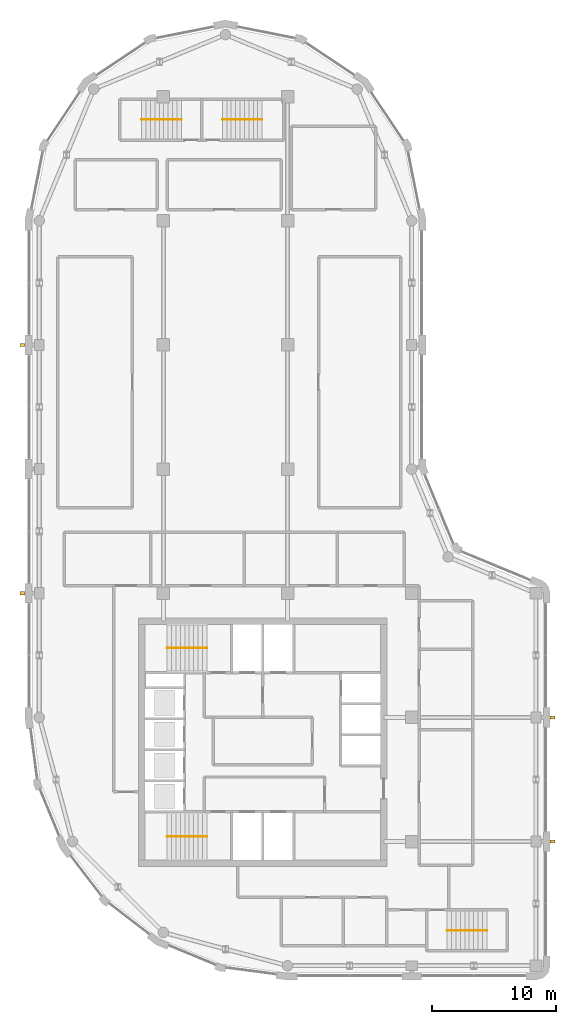
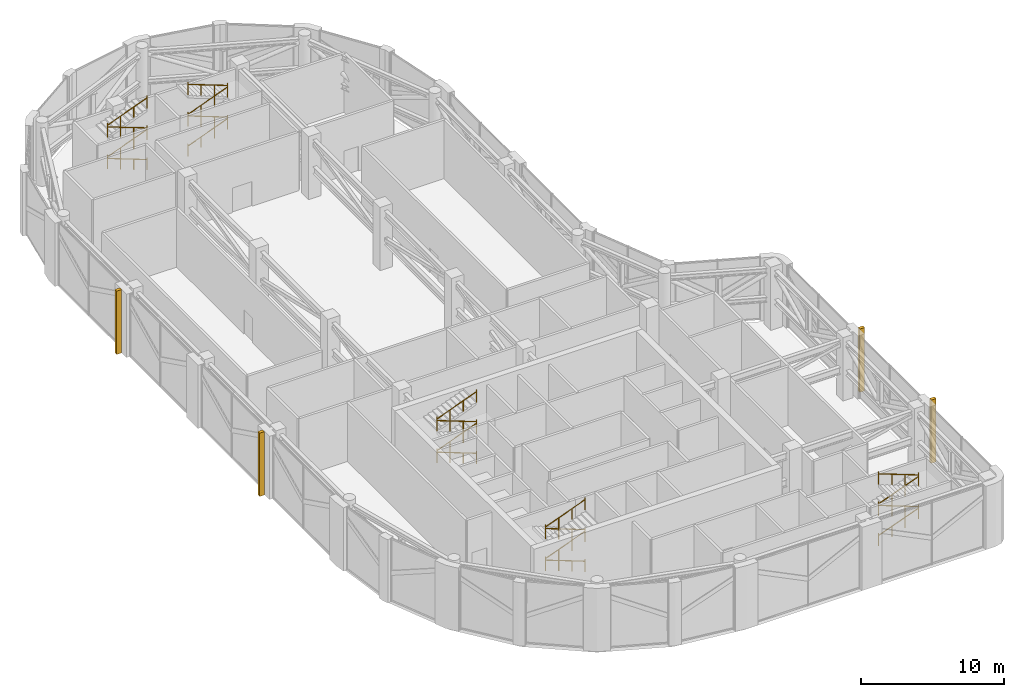
# One storey, part 17 of 18: 20 railings, 4 shading devices.
"""IFC4 building model written with IfcOpenShell, lengths in metres."""

import ifcopenshell
import ifcopenshell.guid

model = None  # the IFC model being written
_history = None  # IfcOwnerHistory: only IFC2X3 demands one
_inside = {}  # id of a spatial element -> (the spatial element, [elements in it])
_under = {}  # id of a project, library or spatial element -> (it, [spatial elements below it])
_declared = {}  # id of a project -> (the project, [libraries it declares])
_typed = {}  # id of a type object -> (the type object, [elements of that type])
_made_of = {}  # id of a material, layer set ... -> (it, [elements and type objects made of it])


def new_model(schema):
    """Start an empty IFC model of exactly this schema.

    Asked for "IFC4X3", IfcOpenShell would pick the latest addendum, in which some entities
    have other attributes; the version numbers below select the first issue.
    IFC2X3 requires an IfcOwnerHistory on every rooted entity: one is made here for all.
    """
    global model, _history
    if schema == "IFC4X3":
        model = ifcopenshell.file(schema_version=(4, 3, 0, 0))
    else:
        model = ifcopenshell.file(schema=schema)
    _inside.clear()
    _under.clear()
    _declared.clear()
    _typed.clear()
    _made_of.clear()
    _history = None
    if model.schema == "IFC2X3":
        org = make("IfcOrganization", Name="unknown")
        user = make(
            "IfcPersonAndOrganization",
            ThePerson=make("IfcPerson", FamilyName="unknown"),
            TheOrganization=org,
        )
        app = make(
            "IfcApplication",
            ApplicationDeveloper=org,
            Version="unknown",
            ApplicationFullName="unknown",
            ApplicationIdentifier="unknown",
        )
        _history = make(
            "IfcOwnerHistory",
            OwningUser=user,
            OwningApplication=app,
            ChangeAction="ADDED",
            CreationDate=0,
        )
    return model


def make(cls, **values):
    """One entity of the class cls with the attributes given. An attribute that is None is left unset."""
    return model.create_entity(
        cls, **{name: value for name, value in values.items() if value is not None}
    )


def rooted(cls, **values):
    """An entity with a GlobalId (a new one), such as an element, a storey or a relation."""
    return make(cls, GlobalId=ifcopenshell.guid.new(), OwnerHistory=_history, **values)


def si_unit(unit_type, name, prefix=None):
    """IfcSIUnit, for example si_unit("LENGTHUNIT", "METRE", prefix="MILLI")."""
    return make("IfcSIUnit", UnitType=unit_type, Prefix=prefix, Name=name)


def assignment(units):
    """IfcUnitAssignment: the units of a project."""
    return None if units is None else make("IfcUnitAssignment", Units=units)


def point(xyz):
    """IfcCartesianPoint."""
    return None if xyz is None else make("IfcCartesianPoint", Coordinates=xyz)


def direction(xyz):
    """IfcDirection."""
    return None if xyz is None else make("IfcDirection", DirectionRatios=xyz)


def frame(location, z_axis=None, x_axis=None):
    """IfcAxis2Placement3D, a coordinate frame: its origin and axes. An axis left out is left unset."""
    return make(
        "IfcAxis2Placement3D",
        Location=point(location),
        Axis=direction(z_axis),
        RefDirection=direction(x_axis),
    )


def frame_2d(location, x_axis=None):
    """IfcAxis2Placement2D, a coordinate frame in the plane: its origin and x axis."""
    return make(
        "IfcAxis2Placement2D", Location=point(location), RefDirection=direction(x_axis)
    )


def origin():
    """The frame at (0, 0, 0) with its axes left unset."""
    return frame((0.0, 0.0, 0.0))


def origin_2d():
    """The frame at (0, 0) in the plane with its x axis left unset."""
    return frame_2d((0.0, 0.0))


def place(relative_to, where):
    """IfcLocalPlacement: puts the frame where relative to a parent placement (None: the world)."""
    return make(
        "IfcLocalPlacement", PlacementRelTo=relative_to, RelativePlacement=where
    )


def context(
    kind, dimensions, precision=None, world=None, true_north=None, identifier=None
):
    """IfcGeometricRepresentationContext, for example the 3D "Model" context."""
    return make(
        "IfcGeometricRepresentationContext",
        ContextIdentifier=identifier,
        ContextType=kind,
        CoordinateSpaceDimension=dimensions,
        Precision=precision,
        WorldCoordinateSystem=world,
        TrueNorth=true_north,
    )


def subcontext(parent, identifier, kind, view, scale=None):
    """IfcGeometricRepresentationSubContext, for example "Body" below "Model"."""
    return make(
        "IfcGeometricRepresentationSubContext",
        ContextIdentifier=identifier,
        ContextType=kind,
        ParentContext=parent,
        TargetScale=scale,
        TargetView=view,
    )


def project(units=None, contexts=None):
    """IfcProject with its units and contexts."""
    return rooted(
        "IfcProject",
        Name="project",
        RepresentationContexts=contexts,
        UnitsInContext=assignment(units),
    )


def spatial(cls, under=None, at=None, **own):
    """A site, building, storey or space (cls), placed at a placement, below another one or the project."""
    s = rooted(cls, ObjectPlacement=at, **own)
    if under is not None:
        _under.setdefault(under.id(), (under, []))[1].append(s)
    return s


def profile(cls, at=None, kind="AREA", **sizes):
    """A parametric profile (cls). Its sizes go by their IFC names, for example OverallWidth=200.0."""
    return make(cls, ProfileType=kind, Position=at, **sizes)


def rectangle(**sizes):
    """IfcRectangleProfileDef."""
    return profile("IfcRectangleProfileDef", **sizes)


def circle(**sizes):
    """IfcCircleProfileDef."""
    return profile("IfcCircleProfileDef", **sizes)


def extrude(swept, where, along, depth):
    """IfcExtrudedAreaSolid: the profile swept, set in the frame where, extruded along a direction by depth."""
    return make(
        "IfcExtrudedAreaSolid",
        SweptArea=swept,
        Position=where,
        ExtrudedDirection=direction(along),
        Depth=depth,
    )


def shape(context_of_items, identifier, shape_type, items):
    """IfcShapeRepresentation: the items that make up one representation, for example the "Body"."""
    return make(
        "IfcShapeRepresentation",
        ContextOfItems=context_of_items,
        RepresentationIdentifier=identifier,
        RepresentationType=shape_type,
        Items=items,
    )


def material(Name=None, Category=None):
    """IfcMaterial."""
    return make("IfcMaterial", Name=Name, Category=Category)


def layer(
    of_material, thickness, ventilated=None, Name=None, Category=None, Priority=None
):
    """IfcMaterialLayer: one layer of a wall or slab, of a material (None: an air gap)."""
    return make(
        "IfcMaterialLayer",
        Material=of_material,
        LayerThickness=thickness,
        IsVentilated=ventilated,
        Name=Name,
        Category=Category,
        Priority=Priority,
    )


def layer_set(layers, Name=None):
    """IfcMaterialLayerSet."""
    return make("IfcMaterialLayerSet", MaterialLayers=layers, LayerSetName=Name)


def made_of(thing, what):
    """Note that an element or type object is made of a material, layer set ...; save() writes the relation."""
    if what is not None:
        _made_of.setdefault(what.id(), (what, []))[1].append(thing)
    return thing


def type_object(cls, material=None, **own):
    """A type object (cls), such as IfcWallType, which elements share."""
    return made_of(rooted(cls, **own), material)


def element(
    cls,
    number,
    at=None,
    inside=None,
    cuts=None,
    type_object=None,
    material=None,
    context=None,
    identifier="Body",
    shape_type=None,
    held_by="IfcProductDefinitionShape",
    body=None,
    shapes=None,
    **own,
):
    """One element of the class cls, such as IfcWall. Its Tag is "e" and its number.

    at: its placement. inside: the storey or other place that contains it. cuts: it is an
    opening in that element (IfcRelVoidsElement). A single representation is given by context,
    identifier, shape_type and body (its items); several are given by shapes. held_by: the class
    of the entity that holds the representations. save() writes the other relations.
    """
    e = rooted(cls, Tag="e%d" % number, ObjectPlacement=at, **own)
    if body is not None:
        shapes = [shape(context, identifier, shape_type, body)]
    if shapes is not None:
        e.Representation = make(held_by, Representations=shapes)
    if inside is not None:
        _inside.setdefault(inside.id(), (inside, []))[1].append(e)
    if cuts is not None:
        rooted(
            "IfcRelVoidsElement", RelatingBuildingElement=cuts, RelatedOpeningElement=e
        )
    if type_object is not None:
        _typed.setdefault(type_object.id(), (type_object, []))[1].append(e)
    return made_of(e, material)


def aggregate(whole, parts):
    """IfcRelAggregates: a whole, such as a stair, and the parts it consists of."""
    return rooted("IfcRelAggregates", RelatingObject=whole, RelatedObjects=parts)


def save(model, path):
    """Write the relations noted so far, then the file.

    IfcRelAggregates (storeys below a building ...), IfcRelContainedInSpatialStructure (elements
    in a storey), IfcRelDefinesByType, IfcRelAssociatesMaterial and IfcRelDeclares: one each for
    every whole, place, type object, material and project.
    """
    for whole, parts in _under.values():
        aggregate(whole, parts)
    for where, things in _inside.values():
        rooted(
            "IfcRelContainedInSpatialStructure",
            RelatedElements=things,
            RelatingStructure=where,
        )
    for kind, things in _typed.values():
        rooted("IfcRelDefinesByType", RelatedObjects=things, RelatingType=kind)
    for what, things in _made_of.values():
        rooted("IfcRelAssociatesMaterial", RelatedObjects=things, RelatingMaterial=what)
    for by, libraries in _declared.values():
        rooted("IfcRelDeclares", RelatingContext=by, RelatedDefinitions=libraries)
    model.write(path)


model = new_model("IFC4")

# Units and contexts
model_context = context("Model", 3, precision=1e-05, world=origin(), true_north=direction((0.0, 1.0)))
body_context = subcontext(model_context, "Body", "Model", "MODEL_VIEW")
ifc_project = project(units=[si_unit("LENGTHUNIT", "METRE"), si_unit("AREAUNIT", "SQUARE_METRE"), si_unit("VOLUMEUNIT", "CUBIC_METRE"), si_unit("PLANEANGLEUNIT", "RADIAN"), si_unit("MASSUNIT", "GRAM", prefix="KILO")], contexts=[model_context])

# Site, building, storey
site_placement = place(None, origin())
site = spatial("IfcSite", under=ifc_project, at=site_placement, CompositionType="ELEMENT")
building_placement = place(site_placement, origin())
building = spatial("IfcBuilding", under=site, at=building_placement, Name="Qaws Garden Tower", CompositionType="ELEMENT")
storey_placement = place(building_placement, frame((0.0, 0.0, 352.800048828125)))
storey = spatial("IfcBuildingStorey", under=building, at=storey_placement, Name="L86", CompositionType="ELEMENT", Elevation=352.800048828125)

# Shading devices
ifc_material_1 = material(Name="Clay facing brick masonry", Category="masonry")
ifc_layer = layer(ifc_material_1, 0.25)
ifc_layer_set = layer_set([ifc_layer], Name="Clay facing brick masonry")
shading_device_type = type_object("IfcShadingDeviceType", Name="Brick-faced fin 250 x 400", PredefinedType="USERDEFINED", material=ifc_layer_set)
for number, where, z_axis, x_axis, name in (
    (1, (41.35009765625, 10.0, 0.0), (0.0, 0.0, 1.0), (0.0, 1.0, 0.0), "FIN 03"),
    (2, (41.35009765625, 20.0, 0.0), (0.0, 0.0, 1.0), (0.0, 1.0, 0.0), "FIN 04"),
    (3, (-1.35009765625, 50.0, 0.0), (0.0, 0.0, 1.0), (0.0, -1.0, 0.0), "FIN 18"),
    (4, (-1.35009765625, 30.0, 0.0), (0.0, 0.0, 1.0), (0.0, -1.0, 0.0), "FIN 20"),
):
    element("IfcShadingDevice", number, at=place(storey_placement, frame(where, z_axis=z_axis, x_axis=x_axis)), inside=storey, type_object=shading_device_type, Name=name, ObjectType="FIN", PredefinedType="USERDEFINED", context=body_context, shape_type="SweptSolid", body=[
        extrude(rectangle(XDim=0.25, YDim=0.39990234375, at=origin_2d()), origin(), (0.0, 0.0, 1.0), 5.39990234375),
    ])

# Railings
ifc_material_2 = material(Name="Steel S355", Category="steel")
railing_type = type_object("IfcRailingType", Name="Stair handrail 900", PredefinedType="HANDRAIL", material=ifc_material_2)
railing_1_placement = place(storey_placement, frame((13.5, 10.39990234375, 0.135009765625)))
element("IfcRailing", 5, at=railing_1_placement, inside=storey, type_object=railing_type, Name="Stair 1 handrail", PredefinedType="HANDRAIL", context=body_context, shape_type="SweptSolid", body=[
    extrude(circle(Radius=0.02392578125, at=origin_2d()), frame((0.0, 0.0, 0.8759765625), z_axis=(-0.935046397956, 0.0, 0.354525363931), x_axis=(0.0, -1.0, 0.0)), (0.0, 0.0, 1.0), 3.4267578125),
    extrude(circle(Radius=0.02099609375, at=origin_2d()), origin(), (0.0, 0.0, 1.0), 1.034912109375),
    extrude(circle(Radius=0.02099609375, at=origin_2d()), frame((-1.068115234375, 0.0, 0.405029296875)), (0.0, 0.0, 1.0), 0.851806640625),
    extrude(circle(Radius=0.02099609375, at=origin_2d()), frame((-2.135986328125, 0.0, 0.809814453125)), (0.0, 0.0, 1.0), 0.851806640625),
    extrude(circle(Radius=0.02099609375, at=origin_2d()), frame((-3.2041015625, 0.0, 1.21484375)), (0.0, 0.0, 1.0), 1.034912109375),
])
railing_2_placement = place(storey_placement, frame((10.2958984375, 10.39990234375, 1.48486328125)))
element("IfcRailing", 6, at=railing_2_placement, inside=storey, type_object=railing_type, Name="Stair 1 handrail", PredefinedType="HANDRAIL", context=body_context, shape_type="SweptSolid", body=[
    extrude(circle(Radius=0.02392578125, at=origin_2d()), frame((0.0, 0.0, 0.8759765625), z_axis=(0.935022778244, 0.0, 0.354587653712), x_axis=(0.0, 1.0, 0.0)), (0.0, 0.0, 1.0), 3.4267578125),
    extrude(circle(Radius=0.02099609375, at=origin_2d()), origin(), (0.0, 0.0, 1.0), 1.034912109375),
    extrude(circle(Radius=0.02099609375, at=origin_2d()), frame((1.068115234375, 0.0, 0.405029296875)), (0.0, 0.0, 1.0), 0.851806640625),
    extrude(circle(Radius=0.02099609375, at=origin_2d()), frame((2.135986328125, 0.0, 0.81005859375)), (0.0, 0.0, 1.0), 0.851806640625),
    extrude(circle(Radius=0.02099609375, at=origin_2d()), frame((3.2041015625, 0.0, 1.215087890625)), (0.0, 0.0, 1.0), 1.034912109375),
])
railing_3_placement = place(storey_placement, frame((13.5, 10.39990234375, 2.8349609375)))
element("IfcRailing", 7, at=railing_3_placement, inside=storey, type_object=railing_type, Name="Stair 1 handrail", PredefinedType="HANDRAIL", context=body_context, shape_type="SweptSolid", body=[
    extrude(circle(Radius=0.02392578125, at=origin_2d()), frame((0.0, 0.0, 0.8759765625), z_axis=(-0.935022778244, 0.0, 0.354587653712), x_axis=(0.0, -1.0, 0.0)), (0.0, 0.0, 1.0), 3.4267578125),
    extrude(circle(Radius=0.02099609375, at=origin_2d()), origin(), (0.0, 0.0, 1.0), 1.034912109375),
    extrude(circle(Radius=0.02099609375, at=origin_2d()), frame((-1.068115234375, 0.0, 0.405029296875)), (0.0, 0.0, 1.0), 0.851806640625),
    extrude(circle(Radius=0.02099609375, at=origin_2d()), frame((-2.135986328125, 0.0, 0.81005859375)), (0.0, 0.0, 1.0), 0.851806640625),
    extrude(circle(Radius=0.02099609375, at=origin_2d()), frame((-3.2041015625, 0.0, 1.215087890625)), (0.0, 0.0, 1.0), 1.034912109375),
])
railing_4_placement = place(storey_placement, frame((10.2958984375, 10.39990234375, 4.18505859375)))
element("IfcRailing", 8, at=railing_4_placement, inside=storey, type_object=railing_type, Name="Stair 1 handrail", PredefinedType="HANDRAIL", context=body_context, shape_type="SweptSolid", body=[
    extrude(circle(Radius=0.02392578125, at=origin_2d()), frame((0.0, 0.0, 0.8759765625), z_axis=(0.935046397956, 0.0, 0.354525363931), x_axis=(0.0, 1.0, 0.0)), (0.0, 0.0, 1.0), 3.4267578125),
    extrude(circle(Radius=0.02099609375, at=origin_2d()), origin(), (0.0, 0.0, 1.0), 1.034912109375),
    extrude(circle(Radius=0.02099609375, at=origin_2d()), frame((1.068115234375, 0.0, 0.405029296875)), (0.0, 0.0, 1.0), 0.851806640625),
    extrude(circle(Radius=0.02099609375, at=origin_2d()), frame((2.135986328125, 0.0, 0.809814453125)), (0.0, 0.0, 1.0), 0.851806640625),
    extrude(circle(Radius=0.02099609375, at=origin_2d()), frame((3.2041015625, 0.0, 1.21484375)), (0.0, 0.0, 1.0), 1.034912109375),
])
railing_5_placement = place(storey_placement, frame((13.5, 25.60009765625, 0.135009765625)))
element("IfcRailing", 9, at=railing_5_placement, inside=storey, type_object=railing_type, Name="Stair 4 handrail", PredefinedType="HANDRAIL", context=body_context, shape_type="SweptSolid", body=[
    extrude(circle(Radius=0.02392578125, at=origin_2d()), frame((0.0, 0.0, 0.8759765625), z_axis=(-0.935046397956, 0.0, 0.354525363931), x_axis=(0.0, -1.0, 0.0)), (0.0, 0.0, 1.0), 3.4267578125),
    extrude(circle(Radius=0.02099609375, at=origin_2d()), origin(), (0.0, 0.0, 1.0), 1.034912109375),
    extrude(circle(Radius=0.02099609375, at=origin_2d()), frame((-1.068115234375, 0.0, 0.405029296875)), (0.0, 0.0, 1.0), 0.851806640625),
    extrude(circle(Radius=0.02099609375, at=origin_2d()), frame((-2.135986328125, 0.0, 0.809814453125)), (0.0, 0.0, 1.0), 0.851806640625),
    extrude(circle(Radius=0.02099609375, at=origin_2d()), frame((-3.2041015625, 0.0, 1.21484375)), (0.0, 0.0, 1.0), 1.034912109375),
])
railing_6_placement = place(storey_placement, frame((10.2958984375, 25.60009765625, 1.48486328125)))
element("IfcRailing", 10, at=railing_6_placement, inside=storey, type_object=railing_type, Name="Stair 4 handrail", PredefinedType="HANDRAIL", context=body_context, shape_type="SweptSolid", body=[
    extrude(circle(Radius=0.02392578125, at=origin_2d()), frame((0.0, 0.0, 0.8759765625), z_axis=(0.935022778244, 0.0, 0.354587653712), x_axis=(0.0, 1.0, 0.0)), (0.0, 0.0, 1.0), 3.4267578125),
    extrude(circle(Radius=0.02099609375, at=origin_2d()), origin(), (0.0, 0.0, 1.0), 1.034912109375),
    extrude(circle(Radius=0.02099609375, at=origin_2d()), frame((1.068115234375, 0.0, 0.405029296875)), (0.0, 0.0, 1.0), 0.851806640625),
    extrude(circle(Radius=0.02099609375, at=origin_2d()), frame((2.135986328125, 0.0, 0.81005859375)), (0.0, 0.0, 1.0), 0.851806640625),
    extrude(circle(Radius=0.02099609375, at=origin_2d()), frame((3.2041015625, 0.0, 1.215087890625)), (0.0, 0.0, 1.0), 1.034912109375),
])
railing_7_placement = place(storey_placement, frame((13.5, 25.60009765625, 2.8349609375)))
element("IfcRailing", 11, at=railing_7_placement, inside=storey, type_object=railing_type, Name="Stair 4 handrail", PredefinedType="HANDRAIL", context=body_context, shape_type="SweptSolid", body=[
    extrude(circle(Radius=0.02392578125, at=origin_2d()), frame((0.0, 0.0, 0.8759765625), z_axis=(-0.935022778244, 0.0, 0.354587653712), x_axis=(0.0, -1.0, 0.0)), (0.0, 0.0, 1.0), 3.4267578125),
    extrude(circle(Radius=0.02099609375, at=origin_2d()), origin(), (0.0, 0.0, 1.0), 1.034912109375),
    extrude(circle(Radius=0.02099609375, at=origin_2d()), frame((-1.068115234375, 0.0, 0.405029296875)), (0.0, 0.0, 1.0), 0.851806640625),
    extrude(circle(Radius=0.02099609375, at=origin_2d()), frame((-2.135986328125, 0.0, 0.81005859375)), (0.0, 0.0, 1.0), 0.851806640625),
    extrude(circle(Radius=0.02099609375, at=origin_2d()), frame((-3.2041015625, 0.0, 1.215087890625)), (0.0, 0.0, 1.0), 1.034912109375),
])
railing_8_placement = place(storey_placement, frame((10.2958984375, 25.60009765625, 4.18505859375)))
element("IfcRailing", 12, at=railing_8_placement, inside=storey, type_object=railing_type, Name="Stair 4 handrail", PredefinedType="HANDRAIL", context=body_context, shape_type="SweptSolid", body=[
    extrude(circle(Radius=0.02392578125, at=origin_2d()), frame((0.0, 0.0, 0.8759765625), z_axis=(0.935046397956, 0.0, 0.354525363931), x_axis=(0.0, 1.0, 0.0)), (0.0, 0.0, 1.0), 3.4267578125),
    extrude(circle(Radius=0.02099609375, at=origin_2d()), origin(), (0.0, 0.0, 1.0), 1.034912109375),
    extrude(circle(Radius=0.02099609375, at=origin_2d()), frame((1.068115234375, 0.0, 0.405029296875)), (0.0, 0.0, 1.0), 0.851806640625),
    extrude(circle(Radius=0.02099609375, at=origin_2d()), frame((2.135986328125, 0.0, 0.809814453125)), (0.0, 0.0, 1.0), 0.851806640625),
    extrude(circle(Radius=0.02099609375, at=origin_2d()), frame((3.2041015625, 0.0, 1.21484375)), (0.0, 0.0, 1.0), 1.034912109375),
])
railing_9_placement = place(storey_placement, frame((32.85009765625, 2.85009765625, 0.135009765625)))
element("IfcRailing", 13, at=railing_9_placement, inside=storey, type_object=railing_type, Name="Stair 5 handrail", PredefinedType="HANDRAIL", context=body_context, shape_type="SweptSolid", body=[
    extrude(circle(Radius=0.02392578125, at=origin_2d()), frame((0.0, 0.0, 0.8759765625), z_axis=(0.935037442144, 0.0, 0.354548983625), x_axis=(0.0, 1.0, 0.0)), (0.0, 0.0, 1.0), 3.426513671875),
    extrude(circle(Radius=0.02099609375, at=origin_2d()), origin(), (0.0, 0.0, 1.0), 1.034912109375),
    extrude(circle(Radius=0.02099609375, at=origin_2d()), frame((1.06787109375, 0.0, 0.405029296875)), (0.0, 0.0, 1.0), 0.851806640625),
    extrude(circle(Radius=0.02099609375, at=origin_2d()), frame((2.135986328125, 0.0, 0.809814453125)), (0.0, 0.0, 1.0), 0.851806640625),
    extrude(circle(Radius=0.02099609375, at=origin_2d()), frame((3.203857421875, 0.0, 1.21484375)), (0.0, 0.0, 1.0), 1.034912109375),
])
railing_10_placement = place(storey_placement, frame((36.053955078125, 2.85009765625, 1.48486328125)))
element("IfcRailing", 14, at=railing_10_placement, inside=storey, type_object=railing_type, Name="Stair 5 handrail", PredefinedType="HANDRAIL", context=body_context, shape_type="SweptSolid", body=[
    extrude(circle(Radius=0.02392578125, at=origin_2d()), frame((0.0, 0.0, 0.8759765625), z_axis=(-0.935013819511, 0.0, 0.354611276363), x_axis=(0.0, -1.0, 0.0)), (0.0, 0.0, 1.0), 3.426513671875),
    extrude(circle(Radius=0.02099609375, at=origin_2d()), origin(), (0.0, 0.0, 1.0), 1.034912109375),
    extrude(circle(Radius=0.02099609375, at=origin_2d()), frame((-1.06787109375, 0.0, 0.405029296875)), (0.0, 0.0, 1.0), 0.851806640625),
    extrude(circle(Radius=0.02099609375, at=origin_2d()), frame((-2.135986328125, 0.0, 0.81005859375)), (0.0, 0.0, 1.0), 0.851806640625),
    extrude(circle(Radius=0.02099609375, at=origin_2d()), frame((-3.203857421875, 0.0, 1.215087890625)), (0.0, 0.0, 1.0), 1.034912109375),
])
railing_11_placement = place(storey_placement, frame((32.85009765625, 2.85009765625, 2.8349609375)))
element("IfcRailing", 15, at=railing_11_placement, inside=storey, type_object=railing_type, Name="Stair 5 handrail", PredefinedType="HANDRAIL", context=body_context, shape_type="SweptSolid", body=[
    extrude(circle(Radius=0.02392578125, at=origin_2d()), frame((0.0, 0.0, 0.8759765625), z_axis=(0.935013819511, 0.0, 0.354611276363), x_axis=(0.0, 1.0, 0.0)), (0.0, 0.0, 1.0), 3.426513671875),
    extrude(circle(Radius=0.02099609375, at=origin_2d()), origin(), (0.0, 0.0, 1.0), 1.034912109375),
    extrude(circle(Radius=0.02099609375, at=origin_2d()), frame((1.06787109375, 0.0, 0.405029296875)), (0.0, 0.0, 1.0), 0.851806640625),
    extrude(circle(Radius=0.02099609375, at=origin_2d()), frame((2.135986328125, 0.0, 0.81005859375)), (0.0, 0.0, 1.0), 0.851806640625),
    extrude(circle(Radius=0.02099609375, at=origin_2d()), frame((3.203857421875, 0.0, 1.215087890625)), (0.0, 0.0, 1.0), 1.034912109375),
])
for number, where, name in (
    (16, (36.053955078125, 2.85009765625, 4.18505859375), "Stair 5 handrail"),
    (17, (11.449951171875, 68.14990234375, 0.135009765625), "Stair 6 handrail"),
):
    element("IfcRailing", number, at=place(storey_placement, frame(where)), inside=storey, type_object=railing_type, Name=name, PredefinedType="HANDRAIL", context=body_context, shape_type="SweptSolid", body=[
        extrude(circle(Radius=0.02392578125, at=origin_2d()), frame((0.0, 0.0, 0.8759765625), z_axis=(-0.935037442144, 0.0, 0.354548983625), x_axis=(0.0, -1.0, 0.0)), (0.0, 0.0, 1.0), 3.426513671875),
        extrude(circle(Radius=0.02099609375, at=origin_2d()), origin(), (0.0, 0.0, 1.0), 1.034912109375),
        extrude(circle(Radius=0.02099609375, at=origin_2d()), frame((-1.06787109375, 0.0, 0.405029296875)), (0.0, 0.0, 1.0), 0.851806640625),
        extrude(circle(Radius=0.02099609375, at=origin_2d()), frame((-2.135986328125, 0.0, 0.809814453125)), (0.0, 0.0, 1.0), 0.851806640625),
        extrude(circle(Radius=0.02099609375, at=origin_2d()), frame((-3.203857421875, 0.0, 1.21484375)), (0.0, 0.0, 1.0), 1.034912109375),
    ])
railing_12_placement = place(storey_placement, frame((8.24609375, 68.14990234375, 1.48486328125)))
element("IfcRailing", 18, at=railing_12_placement, inside=storey, type_object=railing_type, Name="Stair 6 handrail", PredefinedType="HANDRAIL", context=body_context, shape_type="SweptSolid", body=[
    extrude(circle(Radius=0.02392578125, at=origin_2d()), frame((0.0, 0.0, 0.8759765625), z_axis=(0.935013819511, 0.0, 0.354611276363), x_axis=(0.0, 1.0, 0.0)), (0.0, 0.0, 1.0), 3.426513671875),
    extrude(circle(Radius=0.02099609375, at=origin_2d()), origin(), (0.0, 0.0, 1.0), 1.034912109375),
    extrude(circle(Radius=0.02099609375, at=origin_2d()), frame((1.06787109375, 0.0, 0.405029296875)), (0.0, 0.0, 1.0), 0.851806640625),
    extrude(circle(Radius=0.02099609375, at=origin_2d()), frame((2.135986328125, 0.0, 0.81005859375)), (0.0, 0.0, 1.0), 0.851806640625),
    extrude(circle(Radius=0.02099609375, at=origin_2d()), frame((3.203857421875, 0.0, 1.215087890625)), (0.0, 0.0, 1.0), 1.034912109375),
])
railing_13_placement = place(storey_placement, frame((11.449951171875, 68.14990234375, 2.8349609375)))
element("IfcRailing", 19, at=railing_13_placement, inside=storey, type_object=railing_type, Name="Stair 6 handrail", PredefinedType="HANDRAIL", context=body_context, shape_type="SweptSolid", body=[
    extrude(circle(Radius=0.02392578125, at=origin_2d()), frame((0.0, 0.0, 0.8759765625), z_axis=(-0.935013819511, 0.0, 0.354611276363), x_axis=(0.0, -1.0, 0.0)), (0.0, 0.0, 1.0), 3.426513671875),
    extrude(circle(Radius=0.02099609375, at=origin_2d()), origin(), (0.0, 0.0, 1.0), 1.034912109375),
    extrude(circle(Radius=0.02099609375, at=origin_2d()), frame((-1.06787109375, 0.0, 0.405029296875)), (0.0, 0.0, 1.0), 0.851806640625),
    extrude(circle(Radius=0.02099609375, at=origin_2d()), frame((-2.135986328125, 0.0, 0.81005859375)), (0.0, 0.0, 1.0), 0.851806640625),
    extrude(circle(Radius=0.02099609375, at=origin_2d()), frame((-3.203857421875, 0.0, 1.215087890625)), (0.0, 0.0, 1.0), 1.034912109375),
])
railing_14_placement = place(storey_placement, frame((8.24609375, 68.14990234375, 4.18505859375)))
element("IfcRailing", 20, at=railing_14_placement, inside=storey, type_object=railing_type, Name="Stair 6 handrail", PredefinedType="HANDRAIL", context=body_context, shape_type="SweptSolid", body=[
    extrude(circle(Radius=0.02392578125, at=origin_2d()), frame((0.0, 0.0, 0.8759765625), z_axis=(0.935037442144, 0.0, 0.354548983625), x_axis=(0.0, 1.0, 0.0)), (0.0, 0.0, 1.0), 3.426513671875),
    extrude(circle(Radius=0.02099609375, at=origin_2d()), origin(), (0.0, 0.0, 1.0), 1.034912109375),
    extrude(circle(Radius=0.02099609375, at=origin_2d()), frame((1.06787109375, 0.0, 0.405029296875)), (0.0, 0.0, 1.0), 0.851806640625),
    extrude(circle(Radius=0.02099609375, at=origin_2d()), frame((2.135986328125, 0.0, 0.809814453125)), (0.0, 0.0, 1.0), 0.851806640625),
    extrude(circle(Radius=0.02099609375, at=origin_2d()), frame((3.203857421875, 0.0, 1.21484375)), (0.0, 0.0, 1.0), 1.034912109375),
])
railing_15_placement = place(storey_placement, frame((14.75, 68.14990234375, 0.135009765625)))
element("IfcRailing", 21, at=railing_15_placement, inside=storey, type_object=railing_type, Name="Stair 7 handrail", PredefinedType="HANDRAIL", context=body_context, shape_type="SweptSolid", body=[
    extrude(circle(Radius=0.02392578125, at=origin_2d()), frame((0.0, 0.0, 0.8759765625), z_axis=(0.935046397956, 0.0, 0.354525363931), x_axis=(0.0, 1.0, 0.0)), (0.0, 0.0, 1.0), 3.4267578125),
    extrude(circle(Radius=0.02099609375, at=origin_2d()), origin(), (0.0, 0.0, 1.0), 1.034912109375),
    extrude(circle(Radius=0.02099609375, at=origin_2d()), frame((1.068115234375, 0.0, 0.405029296875)), (0.0, 0.0, 1.0), 0.851806640625),
    extrude(circle(Radius=0.02099609375, at=origin_2d()), frame((2.135986328125, 0.0, 0.809814453125)), (0.0, 0.0, 1.0), 0.851806640625),
    extrude(circle(Radius=0.02099609375, at=origin_2d()), frame((3.2041015625, 0.0, 1.21484375)), (0.0, 0.0, 1.0), 1.034912109375),
])
railing_16_placement = place(storey_placement, frame((17.9541015625, 68.14990234375, 1.48486328125)))
element("IfcRailing", 22, at=railing_16_placement, inside=storey, type_object=railing_type, Name="Stair 7 handrail", PredefinedType="HANDRAIL", context=body_context, shape_type="SweptSolid", body=[
    extrude(circle(Radius=0.02392578125, at=origin_2d()), frame((0.0, 0.0, 0.8759765625), z_axis=(-0.935022778244, 0.0, 0.354587653712), x_axis=(0.0, -1.0, 0.0)), (0.0, 0.0, 1.0), 3.4267578125),
    extrude(circle(Radius=0.02099609375, at=origin_2d()), origin(), (0.0, 0.0, 1.0), 1.034912109375),
    extrude(circle(Radius=0.02099609375, at=origin_2d()), frame((-1.068115234375, 0.0, 0.405029296875)), (0.0, 0.0, 1.0), 0.851806640625),
    extrude(circle(Radius=0.02099609375, at=origin_2d()), frame((-2.135986328125, 0.0, 0.81005859375)), (0.0, 0.0, 1.0), 0.851806640625),
    extrude(circle(Radius=0.02099609375, at=origin_2d()), frame((-3.2041015625, 0.0, 1.215087890625)), (0.0, 0.0, 1.0), 1.034912109375),
])
railing_17_placement = place(storey_placement, frame((14.75, 68.14990234375, 2.8349609375)))
element("IfcRailing", 23, at=railing_17_placement, inside=storey, type_object=railing_type, Name="Stair 7 handrail", PredefinedType="HANDRAIL", context=body_context, shape_type="SweptSolid", body=[
    extrude(circle(Radius=0.02392578125, at=origin_2d()), frame((0.0, 0.0, 0.8759765625), z_axis=(0.935022778244, 0.0, 0.354587653712), x_axis=(0.0, 1.0, 0.0)), (0.0, 0.0, 1.0), 3.4267578125),
    extrude(circle(Radius=0.02099609375, at=origin_2d()), origin(), (0.0, 0.0, 1.0), 1.034912109375),
    extrude(circle(Radius=0.02099609375, at=origin_2d()), frame((1.068115234375, 0.0, 0.405029296875)), (0.0, 0.0, 1.0), 0.851806640625),
    extrude(circle(Radius=0.02099609375, at=origin_2d()), frame((2.135986328125, 0.0, 0.81005859375)), (0.0, 0.0, 1.0), 0.851806640625),
    extrude(circle(Radius=0.02099609375, at=origin_2d()), frame((3.2041015625, 0.0, 1.215087890625)), (0.0, 0.0, 1.0), 1.034912109375),
])
railing_18_placement = place(storey_placement, frame((17.9541015625, 68.14990234375, 4.18505859375)))
element("IfcRailing", 24, at=railing_18_placement, inside=storey, type_object=railing_type, Name="Stair 7 handrail", PredefinedType="HANDRAIL", context=body_context, shape_type="SweptSolid", body=[
    extrude(circle(Radius=0.02392578125, at=origin_2d()), frame((0.0, 0.0, 0.8759765625), z_axis=(-0.935046397956, 0.0, 0.354525363931), x_axis=(0.0, -1.0, 0.0)), (0.0, 0.0, 1.0), 3.4267578125),
    extrude(circle(Radius=0.02099609375, at=origin_2d()), origin(), (0.0, 0.0, 1.0), 1.034912109375),
    extrude(circle(Radius=0.02099609375, at=origin_2d()), frame((-1.068115234375, 0.0, 0.405029296875)), (0.0, 0.0, 1.0), 0.851806640625),
    extrude(circle(Radius=0.02099609375, at=origin_2d()), frame((-2.135986328125, 0.0, 0.809814453125)), (0.0, 0.0, 1.0), 0.851806640625),
    extrude(circle(Radius=0.02099609375, at=origin_2d()), frame((-3.2041015625, 0.0, 1.21484375)), (0.0, 0.0, 1.0), 1.034912109375),
])

save(model, "model.ifc")
